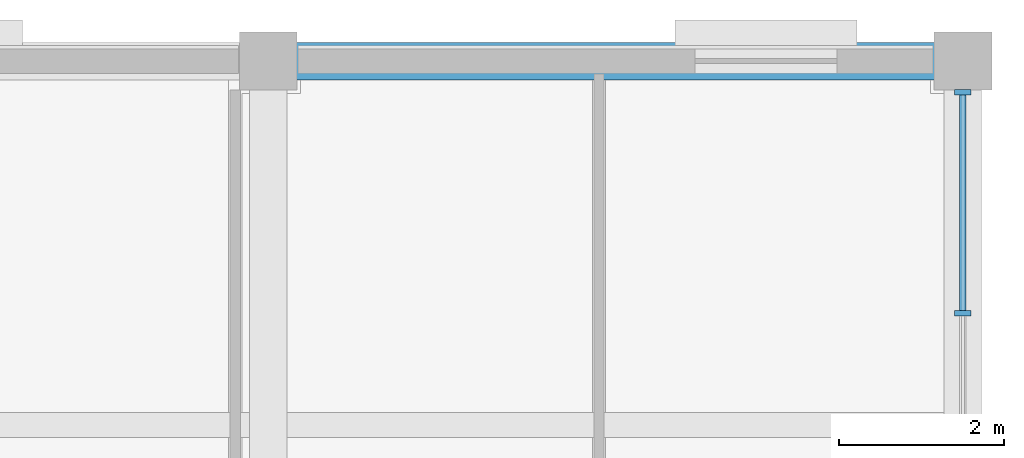
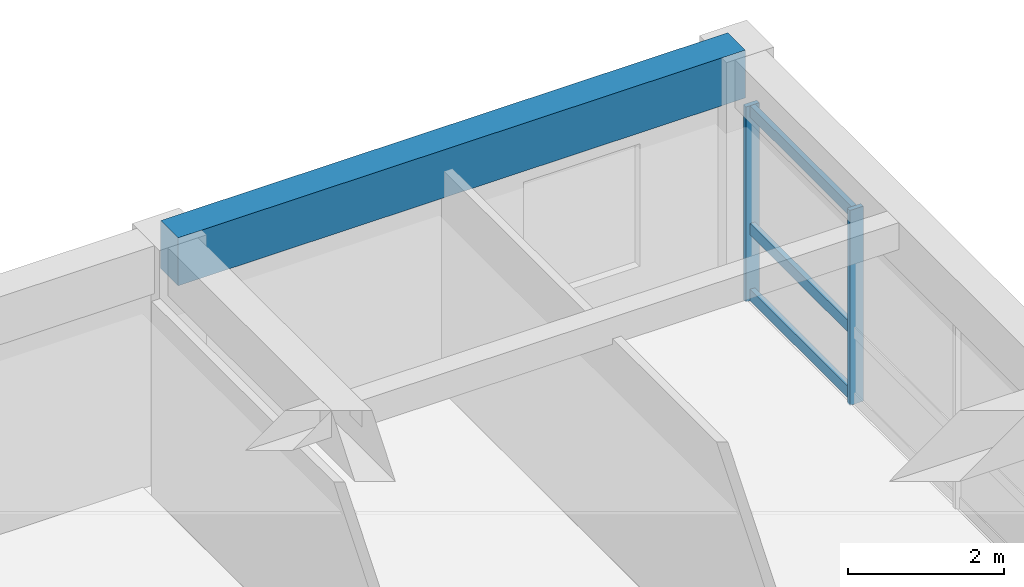
# One storey, part 7 of 13: 5 members, 1 beam, 1 element without a shape of its own.
"""IFC4 building model written with IfcOpenShell, lengths in metres."""

from ifc_helpers import new_model, si_unit, direction, frame, origin, origin_2d, place, context, subcontext, project, spatial, rectangle, extrude, material, material_profile, profile_set, type_object, element, aggregate, save


model = new_model("IFC4")

# Units and contexts
model_context = context("Model", 3, precision=1e-05, world=origin(), true_north=direction((0.0, 1.0)))
body_context = subcontext(model_context, "Body", "Model", "MODEL_VIEW")
ifc_project = project(units=[si_unit("LENGTHUNIT", "METRE"), si_unit("AREAUNIT", "SQUARE_METRE"), si_unit("VOLUMEUNIT", "CUBIC_METRE"), si_unit("PLANEANGLEUNIT", "RADIAN"), si_unit("MASSUNIT", "GRAM", prefix="KILO")], contexts=[model_context])

# Site, building, storey
site_placement = place(None, origin())
site = spatial("IfcSite", under=ifc_project, at=site_placement, CompositionType="ELEMENT")
building_placement = place(site_placement, origin())
building = spatial("IfcBuilding", under=site, at=building_placement, Name="Kemercrest Conservatory and Botanical Centre", CompositionType="ELEMENT")
storey_placement = place(building_placement, frame((0.0, 0.0, 40.60009765625)))
storey = spatial("IfcBuildingStorey", under=building, at=storey_placement, Name="L10", CompositionType="ELEMENT", Elevation=40.60009765625)

# Curtain wall, members
ifc_material_1 = material(Name="Thermally broken aluminium and triple low-e glazing", Category="aluminium")
curtain_wall_type = type_object("IfcCurtainWallType", Name="CW-28", PredefinedType="USERDEFINED", material=ifc_material_1)
curtain_wall_placement = place(storey_placement, origin())
curtain_wall = element("IfcCurtainWall", 1, at=curtain_wall_placement, inside=storey, type_object=curtain_wall_type, Name="Unitised curtain wall CW-28 (CW:L10:V4-117)", ObjectType="UNITISED CURTAIN WALL", PredefinedType="USERDEFINED")
ifc_material_2 = material(Name="Thermally broken anodized aluminium 6063-T6", Category="aluminium")
ifc_material_profile_1 = material_profile(ifc_material_2, rectangle(XDim=0.199951171875, YDim=0.06494140625, at=origin_2d()), Name="AL MULLION 65x200")
ifc_profile_set_1 = profile_set([ifc_material_profile_1], Name="Thermally broken anodized aluminium 6063-T6")
member_type_1 = type_object("IfcMemberType", Name="CW-M200", PredefinedType="MULLION", material=ifc_profile_set_1)
member_1_placement = place(storey_placement, frame((176.0, 119.3515625, 0.0), z_axis=(0.0, 0.0, 1.0), x_axis=(-1.0, 0.0, 0.0)))
member_1 = element("IfcMember", 2, at=member_1_placement, type_object=member_type_1, Name="CW-28 mullion 3", PredefinedType="MULLION", context=body_context, shape_type="SweptSolid", body=[
    extrude(rectangle(XDim=0.199951171875, YDim=0.06494140625, at=origin_2d()), origin(), (0.0, 0.0, 1.0), 3.054931640625),
])
member_2_placement = place(storey_placement, frame((176.0, 122.0224609375, 0.0), z_axis=(0.0, 0.0, 1.0), x_axis=(-1.0, 0.0, 0.0)))
member_2 = element("IfcMember", 3, at=member_2_placement, type_object=member_type_1, Name="CW-28 mullion 4", PredefinedType="MULLION", context=body_context, shape_type="SweptSolid", body=[
    extrude(rectangle(XDim=0.199951171875, YDim=0.06494140625, at=origin_2d()), origin(), (0.0, 0.0, 1.0), 3.054931640625),
])
ifc_material_profile_2 = material_profile(ifc_material_2, rectangle(XDim=0.074951171875, YDim=0.179931640625, at=origin_2d()), Name="AL TRANSOM 75x180")
ifc_profile_set_2 = profile_set([ifc_material_profile_2], Name="Thermally broken anodized aluminium 6063-T6")
member_type_2 = type_object("IfcMemberType", Name="CW-T180", PredefinedType="USERDEFINED", material=ifc_profile_set_2)
member_3_placement = place(storey_placement, frame((176.0, 119.38427734375, 0.08984375), z_axis=(0.0, 1.0, 0.0), x_axis=(-1.0, 0.0, 0.0)))
member_3 = element("IfcMember", 4, at=member_3_placement, type_object=member_type_2, Name="CW-28 transom 3.1", ObjectType="TRANSOM", PredefinedType="USERDEFINED", context=body_context, shape_type="SweptSolid", body=[
    extrude(rectangle(XDim=0.074951171875, YDim=0.179931640625, at=origin_2d()), origin(), (0.0, 0.0, 1.0), 2.605712890625),
])
member_4_placement = place(storey_placement, frame((176.0, 119.38427734375, 1.119873046875), z_axis=(0.0, 1.0, 0.0), x_axis=(-1.0, 0.0, 0.0)))
member_4 = element("IfcMember", 5, at=member_4_placement, type_object=member_type_2, Name="CW-28 transom 3.2", ObjectType="TRANSOM", PredefinedType="USERDEFINED", context=body_context, shape_type="SweptSolid", body=[
    extrude(rectangle(XDim=0.074951171875, YDim=0.179931640625, at=origin_2d()), origin(), (0.0, 0.0, 1.0), 2.605712890625),
])
member_5_placement = place(storey_placement, frame((176.0, 119.38427734375, 2.96484375), z_axis=(0.0, 1.0, 0.0), x_axis=(-1.0, 0.0, 0.0)))
member_5 = element("IfcMember", 6, at=member_5_placement, type_object=member_type_2, Name="CW-28 transom 3.3", ObjectType="TRANSOM", PredefinedType="USERDEFINED", context=body_context, shape_type="SweptSolid", body=[
    extrude(rectangle(XDim=0.074951171875, YDim=0.179931640625, at=origin_2d()), origin(), (0.0, 0.0, 1.0), 2.605712890625),
])
aggregate(curtain_wall, [member_1, member_2, member_3, member_4, member_5])

# Beam
ifc_material_3 = material(Name="Concrete C40/50", Category="concrete")
ifc_material_profile_3 = material_profile(ifc_material_3, rectangle(XDim=0.449951171875, YDim=0.75, at=origin_2d()), Name="RC 450x750")
ifc_profile_set_3 = profile_set([ifc_material_profile_3], Name="Concrete C40/50")
beam_type = type_object("IfcBeamType", Name="SP-RC75", PredefinedType="SPANDREL", material=ifc_profile_set_3)
beam_placement = place(storey_placement, frame((167.60009765625, 122.39990234375, 3.4248046875), z_axis=(1.0, 0.0, 0.0), x_axis=(0.0, 1.0, 0.0)))
element("IfcBeam", 7, at=beam_placement, inside=storey, type_object=beam_type, Name="V4-L11 beam SP-RC75 P/20-21", PredefinedType="SPANDREL", context=body_context, shape_type="SweptSolid", body=[
    extrude(rectangle(XDim=0.449951171875, YDim=0.75, at=origin_2d()), origin(), (0.0, 0.0, 1.0), 8.39990234375),
])

save(model, "model.ifc")
